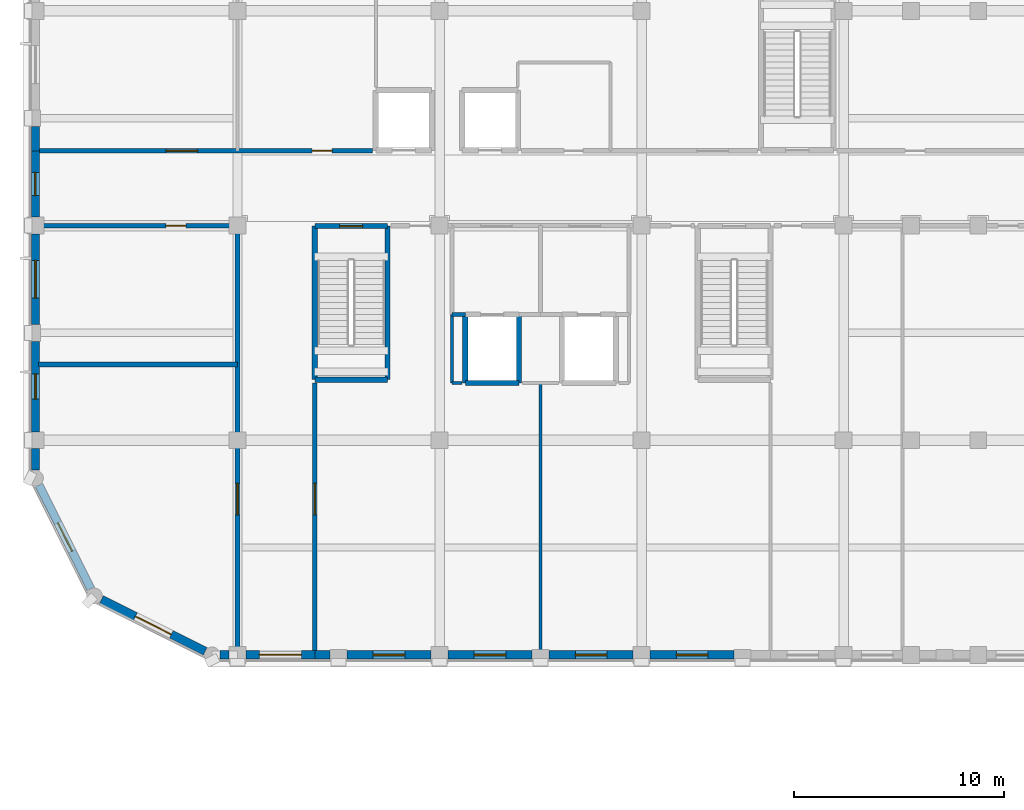
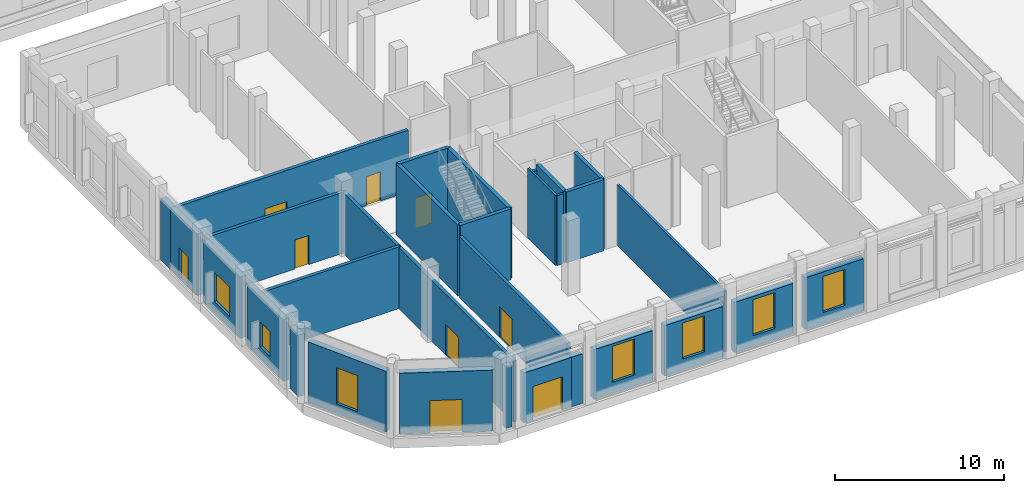
# One storey, part 100 of 137: 30 walls, 9 doors, 7 windows, 16 openings.
"""IFC4 building model written with IfcOpenShell, lengths in metres."""

import ifcopenshell
import ifcopenshell.guid

model = None  # the IFC model being written
_history = None  # IfcOwnerHistory: only IFC2X3 demands one
_inside = {}  # id of a spatial element -> (the spatial element, [elements in it])
_under = {}  # id of a project, library or spatial element -> (it, [spatial elements below it])
_declared = {}  # id of a project -> (the project, [libraries it declares])
_typed = {}  # id of a type object -> (the type object, [elements of that type])
_made_of = {}  # id of a material, layer set ... -> (it, [elements and type objects made of it])


def new_model(schema):
    """Start an empty IFC model of exactly this schema.

    Asked for "IFC4X3", IfcOpenShell would pick the latest addendum, in which some entities
    have other attributes; the version numbers below select the first issue.
    IFC2X3 requires an IfcOwnerHistory on every rooted entity: one is made here for all.
    """
    global model, _history
    if schema == "IFC4X3":
        model = ifcopenshell.file(schema_version=(4, 3, 0, 0))
    else:
        model = ifcopenshell.file(schema=schema)
    _inside.clear()
    _under.clear()
    _declared.clear()
    _typed.clear()
    _made_of.clear()
    _history = None
    if model.schema == "IFC2X3":
        org = make("IfcOrganization", Name="unknown")
        user = make(
            "IfcPersonAndOrganization",
            ThePerson=make("IfcPerson", FamilyName="unknown"),
            TheOrganization=org,
        )
        app = make(
            "IfcApplication",
            ApplicationDeveloper=org,
            Version="unknown",
            ApplicationFullName="unknown",
            ApplicationIdentifier="unknown",
        )
        _history = make(
            "IfcOwnerHistory",
            OwningUser=user,
            OwningApplication=app,
            ChangeAction="ADDED",
            CreationDate=0,
        )
    return model


def make(cls, **values):
    """One entity of the class cls with the attributes given. An attribute that is None is left unset."""
    return model.create_entity(
        cls, **{name: value for name, value in values.items() if value is not None}
    )


def rooted(cls, **values):
    """An entity with a GlobalId (a new one), such as an element, a storey or a relation."""
    return make(cls, GlobalId=ifcopenshell.guid.new(), OwnerHistory=_history, **values)


def si_unit(unit_type, name, prefix=None):
    """IfcSIUnit, for example si_unit("LENGTHUNIT", "METRE", prefix="MILLI")."""
    return make("IfcSIUnit", UnitType=unit_type, Prefix=prefix, Name=name)


def assignment(units):
    """IfcUnitAssignment: the units of a project."""
    return None if units is None else make("IfcUnitAssignment", Units=units)


def point(xyz):
    """IfcCartesianPoint."""
    return None if xyz is None else make("IfcCartesianPoint", Coordinates=xyz)


def direction(xyz):
    """IfcDirection."""
    return None if xyz is None else make("IfcDirection", DirectionRatios=xyz)


def frame(location, z_axis=None, x_axis=None):
    """IfcAxis2Placement3D, a coordinate frame: its origin and axes. An axis left out is left unset."""
    return make(
        "IfcAxis2Placement3D",
        Location=point(location),
        Axis=direction(z_axis),
        RefDirection=direction(x_axis),
    )


def frame_2d(location, x_axis=None):
    """IfcAxis2Placement2D, a coordinate frame in the plane: its origin and x axis."""
    return make(
        "IfcAxis2Placement2D", Location=point(location), RefDirection=direction(x_axis)
    )


def origin():
    """The frame at (0, 0, 0) with its axes left unset."""
    return frame((0.0, 0.0, 0.0))


def place(relative_to, where):
    """IfcLocalPlacement: puts the frame where relative to a parent placement (None: the world)."""
    return make(
        "IfcLocalPlacement", PlacementRelTo=relative_to, RelativePlacement=where
    )


def context(
    kind, dimensions, precision=None, world=None, true_north=None, identifier=None
):
    """IfcGeometricRepresentationContext, for example the 3D "Model" context."""
    return make(
        "IfcGeometricRepresentationContext",
        ContextIdentifier=identifier,
        ContextType=kind,
        CoordinateSpaceDimension=dimensions,
        Precision=precision,
        WorldCoordinateSystem=world,
        TrueNorth=true_north,
    )


def subcontext(parent, identifier, kind, view, scale=None):
    """IfcGeometricRepresentationSubContext, for example "Body" below "Model"."""
    return make(
        "IfcGeometricRepresentationSubContext",
        ContextIdentifier=identifier,
        ContextType=kind,
        ParentContext=parent,
        TargetScale=scale,
        TargetView=view,
    )


def project(units=None, contexts=None):
    """IfcProject with its units and contexts."""
    return rooted(
        "IfcProject",
        Name="project",
        RepresentationContexts=contexts,
        UnitsInContext=assignment(units),
    )


def spatial(cls, under=None, at=None, **own):
    """A site, building, storey or space (cls), placed at a placement, below another one or the project."""
    s = rooted(cls, ObjectPlacement=at, **own)
    if under is not None:
        _under.setdefault(under.id(), (under, []))[1].append(s)
    return s


def profile(cls, at=None, kind="AREA", **sizes):
    """A parametric profile (cls). Its sizes go by their IFC names, for example OverallWidth=200.0."""
    return make(cls, ProfileType=kind, Position=at, **sizes)


def rectangle(**sizes):
    """IfcRectangleProfileDef."""
    return profile("IfcRectangleProfileDef", **sizes)


def extrude(swept, where, along, depth):
    """IfcExtrudedAreaSolid: the profile swept, set in the frame where, extruded along a direction by depth."""
    return make(
        "IfcExtrudedAreaSolid",
        SweptArea=swept,
        Position=where,
        ExtrudedDirection=direction(along),
        Depth=depth,
    )


def shape(context_of_items, identifier, shape_type, items):
    """IfcShapeRepresentation: the items that make up one representation, for example the "Body"."""
    return make(
        "IfcShapeRepresentation",
        ContextOfItems=context_of_items,
        RepresentationIdentifier=identifier,
        RepresentationType=shape_type,
        Items=items,
    )


def material(Name=None, Category=None):
    """IfcMaterial."""
    return make("IfcMaterial", Name=Name, Category=Category)


def layer(
    of_material, thickness, ventilated=None, Name=None, Category=None, Priority=None
):
    """IfcMaterialLayer: one layer of a wall or slab, of a material (None: an air gap)."""
    return make(
        "IfcMaterialLayer",
        Material=of_material,
        LayerThickness=thickness,
        IsVentilated=ventilated,
        Name=Name,
        Category=Category,
        Priority=Priority,
    )


def layer_set(layers, Name=None):
    """IfcMaterialLayerSet."""
    return make("IfcMaterialLayerSet", MaterialLayers=layers, LayerSetName=Name)


def made_of(thing, what):
    """Note that an element or type object is made of a material, layer set ...; save() writes the relation."""
    if what is not None:
        _made_of.setdefault(what.id(), (what, []))[1].append(thing)
    return thing


def type_object(cls, material=None, **own):
    """A type object (cls), such as IfcWallType, which elements share."""
    return made_of(rooted(cls, **own), material)


def element(
    cls,
    number,
    at=None,
    inside=None,
    cuts=None,
    type_object=None,
    material=None,
    context=None,
    identifier="Body",
    shape_type=None,
    held_by="IfcProductDefinitionShape",
    body=None,
    shapes=None,
    **own,
):
    """One element of the class cls, such as IfcWall. Its Tag is "e" and its number.

    at: its placement. inside: the storey or other place that contains it. cuts: it is an
    opening in that element (IfcRelVoidsElement). A single representation is given by context,
    identifier, shape_type and body (its items); several are given by shapes. held_by: the class
    of the entity that holds the representations. save() writes the other relations.
    """
    e = rooted(cls, Tag="e%d" % number, ObjectPlacement=at, **own)
    if body is not None:
        shapes = [shape(context, identifier, shape_type, body)]
    if shapes is not None:
        e.Representation = make(held_by, Representations=shapes)
    if inside is not None:
        _inside.setdefault(inside.id(), (inside, []))[1].append(e)
    if cuts is not None:
        rooted(
            "IfcRelVoidsElement", RelatingBuildingElement=cuts, RelatedOpeningElement=e
        )
    if type_object is not None:
        _typed.setdefault(type_object.id(), (type_object, []))[1].append(e)
    return made_of(e, material)


def fill(opening, filler):
    """IfcRelFillsElement: the door or window that sits in an opening."""
    return rooted(
        "IfcRelFillsElement",
        RelatingOpeningElement=opening,
        RelatedBuildingElement=filler,
    )


def aggregate(whole, parts):
    """IfcRelAggregates: a whole, such as a stair, and the parts it consists of."""
    return rooted("IfcRelAggregates", RelatingObject=whole, RelatedObjects=parts)


def save(model, path):
    """Write the relations noted so far, then the file.

    IfcRelAggregates (storeys below a building ...), IfcRelContainedInSpatialStructure (elements
    in a storey), IfcRelDefinesByType, IfcRelAssociatesMaterial and IfcRelDeclares: one each for
    every whole, place, type object, material and project.
    """
    for whole, parts in _under.values():
        aggregate(whole, parts)
    for where, things in _inside.values():
        rooted(
            "IfcRelContainedInSpatialStructure",
            RelatedElements=things,
            RelatingStructure=where,
        )
    for kind, things in _typed.values():
        rooted("IfcRelDefinesByType", RelatedObjects=things, RelatingType=kind)
    for what, things in _made_of.values():
        rooted("IfcRelAssociatesMaterial", RelatedObjects=things, RelatingMaterial=what)
    for by, libraries in _declared.values():
        rooted("IfcRelDeclares", RelatingContext=by, RelatedDefinitions=libraries)
    model.write(path)


model = new_model("IFC4")

# Units and contexts
model_context = context("Model", 3, precision=1e-05, world=origin(), true_north=direction((0.0, 1.0)))
body_context = subcontext(model_context, "Body", "Model", "MODEL_VIEW")
ifc_project = project(units=[si_unit("LENGTHUNIT", "METRE"), si_unit("AREAUNIT", "SQUARE_METRE"), si_unit("VOLUMEUNIT", "CUBIC_METRE"), si_unit("PLANEANGLEUNIT", "RADIAN"), si_unit("MASSUNIT", "GRAM", prefix="KILO")], contexts=[model_context])

# Site, building, storey
site_placement = place(None, origin())
site = spatial("IfcSite", under=ifc_project, at=site_placement, CompositionType="ELEMENT")
building_placement = place(site_placement, origin())
building = spatial("IfcBuilding", under=site, at=building_placement, Name="Vondelvale Polytechnic", CompositionType="ELEMENT")
storey_placement = place(building_placement, origin())
storey = spatial("IfcBuildingStorey", under=building, at=storey_placement, Name="L00", CompositionType="ELEMENT", Elevation=0.0)

# Walls
ifc_material_1 = material(Name="Concrete N40 (f'c = 40 MPa)", Category="concrete")
ifc_layer_1 = layer(ifc_material_1, 0.25)
ifc_layer_set_1 = layer_set([ifc_layer_1], Name="WL-CORE-250")
wall_type_1 = type_object("IfcWallType", Name="WL-CORE-250", PredefinedType="SOLIDWALL", material=ifc_layer_set_1)
wall_1_placement = place(storey_placement, frame((13.27490234375, 20.375, 0.0), z_axis=(0.0, 0.0, 1.0), x_axis=(0.0, -1.0, 0.0)))
element("IfcWall", 1, at=wall_1_placement, inside=storey, type_object=wall_type_1, Name="L00 ST-03 reinforced concrete stair core wall", PredefinedType="SOLIDWALL", context=body_context, shape_type="SweptSolid", body=[
    extrude(rectangle(XDim=7.300048828125, YDim=0.25, at=frame_2d((3.64990234375, 0.0))), origin(), (0.0, 0.0, 1.0), 5.1201171875),
])
wall_2_placement = place(storey_placement, frame((13.27490234375, 13.074951171875, 0.0), z_axis=(0.0, 0.0, 1.0), x_axis=(1.0, 0.0, 0.0)))
element("IfcWall", 2, at=wall_2_placement, inside=storey, type_object=wall_type_1, Name="L00 ST-03 reinforced concrete stair core wall", PredefinedType="SOLIDWALL", context=body_context, shape_type="SweptSolid", body=[
    extrude(rectangle(XDim=3.4501953125, YDim=0.25, at=frame_2d((1.72509765625, 0.0))), origin(), (0.0, 0.0, 1.0), 5.1201171875),
])
wall_3_placement = place(storey_placement, frame((16.72509765625, 13.074951171875, 0.0), z_axis=(0.0, 0.0, 1.0), x_axis=(0.0, 1.0, 0.0)))
element("IfcWall", 3, at=wall_3_placement, inside=storey, type_object=wall_type_1, Name="L00 ST-03 reinforced concrete stair core wall", PredefinedType="SOLIDWALL", context=body_context, shape_type="SweptSolid", body=[
    extrude(rectangle(XDim=7.300048828125, YDim=0.25, at=frame_2d((3.64990234375, 0.0))), origin(), (0.0, 0.0, 1.0), 5.1201171875),
])

# Wall, opening, door
wall_4_placement = place(storey_placement, frame((13.27490234375, 20.375, 0.0), z_axis=(0.0, 0.0, 1.0), x_axis=(1.0, 0.0, 0.0)))
wall_4 = element("IfcWall", 4, at=wall_4_placement, inside=storey, type_object=wall_type_1, Name="L00 ST-03 reinforced concrete stair core wall", PredefinedType="SOLIDWALL", context=body_context, shape_type="SweptSolid", body=[
    extrude(rectangle(XDim=3.4501953125, YDim=0.25, at=frame_2d((1.72509765625, 0.0))), origin(), (0.0, 0.0, 1.0), 5.1201171875),
])
opening_1_placement = place(wall_4_placement, frame((1.175048828125, 0.0, 0.0)))
opening_1 = element("IfcOpeningElement", 5, at=opening_1_placement, cuts=wall_4, Name="Opening SD-010", PredefinedType="OPENING", context=body_context, shape_type="SweptSolid", body=[
    extrude(rectangle(XDim=1.10009765625, YDim=2.199951171875, at=frame_2d((0.550048828125, 1.10009765625))), frame((0.0, 0.135009765625, 0.0), z_axis=(0.0, -1.0, 0.0), x_axis=(1.0, 0.0, 0.0)), (0.0, 0.0, 1.0), 0.27001953125),
])
ifc_material_2 = material(Name="Brushed architectural stainless and zinc-coated metal")
door_type_1 = type_object("IfcDoorType", Name="DR-STAIR-1100x2200", OperationType="SINGLE_SWING_LEFT", PredefinedType="DOOR", material=ifc_material_2)
door_1_placement = place(opening_1_placement, origin())
door_1 = element("IfcDoor", 6, at=door_1_placement, inside=storey, type_object=door_type_1, Name="L00 ST-03 fire-isolated stair door", OperationType="SINGLE_SWING_RIGHT", OverallHeight=2.199951171875, OverallWidth=1.10009765625, PredefinedType="DOOR", context=body_context, shape_type="SweptSolid", body=[
    extrude(rectangle(XDim=1.10009765625, YDim=2.199951171875, at=frame_2d((0.550048828125, 1.10009765625))), frame((0.0, 0.02490234375, 0.0), z_axis=(0.0, -1.0, 0.0), x_axis=(1.0, 0.0, 0.0)), (0.0, 0.0, 1.0), 0.050048828125),
])
fill(opening_1, door_1)

# Wall
ifc_material_3 = material(Name="Fire-rated double-layer plasterboard stud partition")
ifc_layer_2 = layer(ifc_material_3, 0.199951171875)
ifc_layer_set_2 = layer_set([ifc_layer_2], Name="WL-CORR-200")
wall_type_2 = type_object("IfcWallType", Name="WL-CORR-200", PredefinedType="PARTITIONING", material=ifc_layer_set_2)
wall_5_placement = place(storey_placement, frame((19.800048828125, 16.175048828125, 0.0), z_axis=(0.0, 0.0, 1.0), x_axis=(1.0, 0.0, 0.0)))
element("IfcWall", 7, at=wall_5_placement, inside=storey, type_object=wall_type_2, Name="L00 EL-01 fire-isolated lift lobby wall", PredefinedType="PARTITIONING", context=body_context, shape_type="SweptSolid", body=[
    extrude(rectangle(XDim=0.625, YDim=0.199951171875, at=frame_2d((0.3125, 0.0))), origin(), (0.0, 0.0, 1.0), 4.75),
])

# Wall, opening, door
ifc_layer_3 = layer(ifc_material_3, 0.219970703125)
ifc_layer_set_3 = layer_set([ifc_layer_3], Name="WL-CORR-220")
wall_type_3 = type_object("IfcWallType", Name="WL-CORR-220", PredefinedType="PARTITIONING", material=ifc_layer_set_3)
wall_6_placement = place(storey_placement, frame((9.60009765625, 0.14990234375, 0.0), z_axis=(0.0, 0.0, 1.0), x_axis=(0.0, 1.0, 0.0)))
wall_6 = element("IfcWall", 8, at=wall_6_placement, inside=storey, type_object=wall_type_3, Name="L00 interior acoustic partition", PredefinedType="PARTITIONING", context=body_context, shape_type="SweptSolid", body=[
    extrude(rectangle(XDim=20.25, YDim=0.219970703125, at=frame_2d((10.125, 0.0))), origin(), (0.0, 0.0, 1.0), 4.39990234375),
])
opening_2_placement = place(wall_6_placement, frame((6.5, 0.0, 0.0)))
opening_2 = element("IfcOpeningElement", 9, at=opening_2_placement, cuts=wall_6, Name="Opening ID-0137", PredefinedType="OPENING", context=body_context, shape_type="SweptSolid", body=[
    extrude(rectangle(XDim=1.5, YDim=2.199951171875, at=frame_2d((0.75, 1.10009765625))), frame((0.0, 0.119873046875, 0.0), z_axis=(0.0, -1.0, 0.0), x_axis=(1.0, 0.0, 0.0)), (0.0, 0.0, 1.0), 0.239990234375),
])
ifc_material_4 = material(Name="Fire-rated solid Tasmanian oak joinery")
door_type_2 = type_object("IfcDoorType", Name="DR-LAB-1500x2200", OperationType="DOUBLE_DOOR_SINGLE_SWING", PredefinedType="DOOR", material=ifc_material_4)
door_2_placement = place(opening_2_placement, origin())
door_2 = element("IfcDoor", 10, at=door_2_placement, inside=storey, type_object=door_type_2, Name="L00 interior room door ID-0137", OperationType="DOUBLE_DOOR_SINGLE_SWING", OverallHeight=2.199951171875, OverallWidth=1.5, PredefinedType="DOOR", context=body_context, shape_type="SweptSolid", body=[
    extrude(rectangle(XDim=1.5, YDim=2.199951171875, at=frame_2d((0.75, 1.10009765625))), frame((0.0, 0.02490234375, 0.0), z_axis=(0.0, -1.0, 0.0), x_axis=(1.0, 0.0, 0.0)), (0.0, 0.0, 1.0), 0.050048828125),
])
fill(opening_2, door_2)

# Wall
wall_7_placement = place(storey_placement, frame((0.14990234375, 13.800048828125, 0.0), z_axis=(0.0, 0.0, 1.0), x_axis=(1.0, 0.0, 0.0)))
element("IfcWall", 11, at=wall_7_placement, inside=storey, type_object=wall_type_3, Name="L00 interior acoustic partition", PredefinedType="PARTITIONING", context=body_context, shape_type="SweptSolid", body=[
    extrude(rectangle(XDim=9.4501953125, YDim=0.219970703125, at=frame_2d((4.72509765625, 0.0))), origin(), (0.0, 0.0, 1.0), 4.449951171875),
])

# Wall, opening, door
wall_8_placement = place(storey_placement, frame((0.14990234375, 20.39990234375, 0.0), z_axis=(0.0, 0.0, 1.0), x_axis=(1.0, 0.0, 0.0)))
wall_8 = element("IfcWall", 12, at=wall_8_placement, inside=storey, type_object=wall_type_3, Name="L00 interior acoustic partition", PredefinedType="PARTITIONING", context=body_context, shape_type="SweptSolid", body=[
    extrude(rectangle(XDim=9.4501953125, YDim=0.219970703125, at=frame_2d((4.72509765625, 0.0))), origin(), (0.0, 0.0, 1.0), 4.39990234375),
])
opening_3_placement = place(wall_8_placement, frame((6.050048828125, 0.0, 0.0)))
opening_3 = element("IfcOpeningElement", 13, at=opening_3_placement, cuts=wall_8, Name="Opening ID-0138", PredefinedType="OPENING", context=body_context, shape_type="SweptSolid", body=[
    extrude(rectangle(XDim=0.949951171875, YDim=2.10009765625, at=frame_2d((0.47509765625, 1.050048828125))), frame((0.0, 0.119873046875, 0.0), z_axis=(0.0, -1.0, 0.0), x_axis=(1.0, 0.0, 0.0)), (0.0, 0.0, 1.0), 0.239990234375),
])
door_type_3 = type_object("IfcDoorType", Name="DR-INT-0950x2100", OperationType="SINGLE_SWING_LEFT", PredefinedType="DOOR", material=ifc_material_4)
door_3_placement = place(opening_3_placement, origin())
door_3 = element("IfcDoor", 14, at=door_3_placement, inside=storey, type_object=door_type_3, Name="L00 interior room door ID-0138", OperationType="SINGLE_SWING_RIGHT", OverallHeight=2.10009765625, OverallWidth=0.949951171875, PredefinedType="DOOR", context=body_context, shape_type="SweptSolid", body=[
    extrude(rectangle(XDim=0.949951171875, YDim=2.10009765625, at=frame_2d((0.47509765625, 1.050048828125))), frame((0.0, 0.02490234375, 0.0), z_axis=(0.0, -1.0, 0.0), x_axis=(1.0, 0.0, 0.0)), (0.0, 0.0, 1.0), 0.050048828125),
])
fill(opening_3, door_3)

wall_9_placement = place(storey_placement, frame((13.27490234375, 0.14990234375, 0.0), z_axis=(0.0, 0.0, 1.0), x_axis=(0.0, 1.0, 0.0)))
wall_9 = element("IfcWall", 15, at=wall_9_placement, inside=storey, type_object=wall_type_3, Name="L00 interior acoustic partition", PredefinedType="PARTITIONING", context=body_context, shape_type="SweptSolid", body=[
    extrude(rectangle(XDim=12.760009765625, YDim=0.219970703125, at=frame_2d((6.3798828125, 0.0))), origin(), (0.0, 0.0, 1.0), 4.39990234375),
])
opening_4_placement = place(wall_9_placement, frame((6.5, 0.0, 0.0)))
opening_4 = element("IfcOpeningElement", 16, at=opening_4_placement, cuts=wall_9, Name="Opening ID-0139", PredefinedType="OPENING", context=body_context, shape_type="SweptSolid", body=[
    extrude(rectangle(XDim=1.5, YDim=2.199951171875, at=frame_2d((0.75, 1.10009765625))), frame((0.0, 0.119873046875, 0.0), z_axis=(0.0, -1.0, 0.0), x_axis=(1.0, 0.0, 0.0)), (0.0, 0.0, 1.0), 0.239990234375),
])
door_4_placement = place(opening_4_placement, origin())
door_4 = element("IfcDoor", 17, at=door_4_placement, inside=storey, type_object=door_type_2, Name="L00 interior room door ID-0139", OperationType="DOUBLE_DOOR_SINGLE_SWING", OverallHeight=2.199951171875, OverallWidth=1.5, PredefinedType="DOOR", context=body_context, shape_type="SweptSolid", body=[
    extrude(rectangle(XDim=1.5, YDim=2.199951171875, at=frame_2d((0.75, 1.10009765625))), frame((0.0, 0.02490234375, 0.0), z_axis=(0.0, -1.0, 0.0), x_axis=(1.0, 0.0, 0.0)), (0.0, 0.0, 1.0), 0.050048828125),
])
fill(opening_4, door_4)

# Wall, openings, doors
wall_10_placement = place(storey_placement, frame((0.14990234375, 23.949951171875, 0.0), z_axis=(0.0, 0.0, 1.0), x_axis=(1.0, 0.0, 0.0)))
wall_10 = element("IfcWall", 18, at=wall_10_placement, inside=storey, type_object=wall_type_3, Name="L00 interior acoustic partition", PredefinedType="PARTITIONING", context=body_context, shape_type="SweptSolid", body=[
    extrude(rectangle(XDim=15.860107421875, YDim=0.219970703125, at=frame_2d((7.93017578125, 0.0))), origin(), (0.0, 0.0, 1.0), 4.449951171875),
])
opening_5_placement = place(wall_10_placement, frame((6.050048828125, 0.0, 0.0)))
opening_5 = element("IfcOpeningElement", 19, at=opening_5_placement, cuts=wall_10, Name="Opening ID-0145", PredefinedType="OPENING", context=body_context, shape_type="SweptSolid", body=[
    extrude(rectangle(XDim=1.5, YDim=2.199951171875, at=frame_2d((0.75, 1.10009765625))), frame((0.0, 0.119873046875, 0.0), z_axis=(0.0, -1.0, 0.0), x_axis=(1.0, 0.0, 0.0)), (0.0, 0.0, 1.0), 0.239990234375),
])
opening_6_placement = place(wall_10_placement, frame((13.0, 0.0, 0.0)))
opening_6 = element("IfcOpeningElement", 20, at=opening_6_placement, cuts=wall_10, Name="Opening ID-0146", PredefinedType="OPENING", context=body_context, shape_type="SweptSolid", body=[
    extrude(rectangle(XDim=0.949951171875, YDim=2.10009765625, at=frame_2d((0.47509765625, 1.050048828125))), frame((0.0, 0.119873046875, 0.0), z_axis=(0.0, -1.0, 0.0), x_axis=(1.0, 0.0, 0.0)), (0.0, 0.0, 1.0), 0.239990234375),
])
door_5_placement = place(opening_6_placement, origin())
door_5 = element("IfcDoor", 21, at=door_5_placement, inside=storey, type_object=door_type_3, Name="L00 interior room door ID-0146", OperationType="SINGLE_SWING_RIGHT", OverallHeight=2.10009765625, OverallWidth=0.949951171875, PredefinedType="DOOR", context=body_context, shape_type="SweptSolid", body=[
    extrude(rectangle(XDim=0.949951171875, YDim=2.10009765625, at=frame_2d((0.47509765625, 1.050048828125))), frame((0.0, 0.02490234375, 0.0), z_axis=(0.0, -1.0, 0.0), x_axis=(1.0, 0.0, 0.0)), (0.0, 0.0, 1.0), 0.050048828125),
])
fill(opening_6, door_5)
door_6_placement = place(opening_5_placement, origin())
door_6 = element("IfcDoor", 22, at=door_6_placement, inside=storey, type_object=door_type_2, Name="L00 interior room door ID-0145", OperationType="DOUBLE_DOOR_SINGLE_SWING", OverallHeight=2.199951171875, OverallWidth=1.5, PredefinedType="DOOR", context=body_context, shape_type="SweptSolid", body=[
    extrude(rectangle(XDim=1.5, YDim=2.199951171875, at=frame_2d((0.75, 1.10009765625))), frame((0.0, 0.02490234375, 0.0), z_axis=(0.0, -1.0, 0.0), x_axis=(1.0, 0.0, 0.0)), (0.0, 0.0, 1.0), 0.050048828125),
])
fill(opening_5, door_6)

# Walls
ifc_layer_4 = layer(ifc_material_3, 0.14990234375)
ifc_layer_set_4 = layer_set([ifc_layer_4], Name="WL-INT-150")
wall_type_4 = type_object("IfcWallType", Name="WL-INT-150", PredefinedType="PARTITIONING", material=ifc_layer_set_4)
wall_11_placement = place(storey_placement, frame((19.800048828125, 12.925048828125, 0.0), z_axis=(0.0, 0.0, 1.0), x_axis=(1.0, 0.0, 0.0)))
element("IfcWall", 23, at=wall_11_placement, inside=storey, type_object=wall_type_4, Name="L00 interior acoustic partition", PredefinedType="PARTITIONING", context=body_context, shape_type="SweptSolid", body=[
    extrude(rectangle(XDim=0.4599609375, YDim=0.14990234375, at=frame_2d((0.22998046875, 0.0))), origin(), (0.0, 0.0, 1.0), 5.050048828125),
])
wall_12_placement = place(storey_placement, frame((19.800048828125, 12.925048828125, 0.0), z_axis=(0.0, 0.0, 1.0), x_axis=(0.0, 1.0, 0.0)))
element("IfcWall", 24, at=wall_12_placement, inside=storey, type_object=wall_type_4, Name="L00 interior acoustic partition", PredefinedType="PARTITIONING", context=body_context, shape_type="SweptSolid", body=[
    extrude(rectangle(XDim=3.25, YDim=0.14990234375, at=frame_2d((1.625, 0.0))), origin(), (0.0, 0.0, 1.0), 5.050048828125),
])
wall_13_placement = place(storey_placement, frame((24.0, 0.14990234375, 0.0), z_axis=(0.0, 0.0, 1.0), x_axis=(0.0, 1.0, 0.0)))
element("IfcWall", 25, at=wall_13_placement, inside=storey, type_object=wall_type_4, Name="L00 interior acoustic partition", PredefinedType="PARTITIONING", context=body_context, shape_type="SweptSolid", body=[
    extrude(rectangle(XDim=12.775146484375, YDim=0.14990234375, at=frame_2d((6.3876953125, 0.0))), origin(), (0.0, 0.0, 1.0), 4.39990234375),
])

# Wall, opening, door
ifc_material_5 = material(Name="Malmsbury bluestone ashlar stone masonry", Category="masonry")
ifc_layer_5 = layer(ifc_material_5, 0.39990234375)
ifc_layer_set_5 = layer_set([ifc_layer_5], Name="WL-PLINTH-400")
wall_type_5 = type_object("IfcWallType", Name="WL-PLINTH-400", PredefinedType="SOLIDWALL", material=ifc_layer_set_5)
wall_14_placement = place(storey_placement, frame((8.065185546875, 0.16748046875, 0.0), z_axis=(0.0, 0.0, 1.0), x_axis=(-0.89443604882, 0.447195879422, 0.0)))
wall_14 = element("IfcWall", 26, at=wall_14_placement, inside=storey, type_object=wall_type_5, Name="L00 exterior masonry facade wall", PredefinedType="SOLIDWALL", context=body_context, shape_type="SweptSolid", body=[
    extrude(rectangle(XDim=5.51220703125, YDim=0.39990234375, at=frame_2d((2.756103515625, 0.0))), origin(), (0.0, 0.0, 1.0), 4.39990234375),
])
opening_7_placement = place(wall_14_placement, frame((1.80615234375, 0.0, 0.0)))
opening_7 = element("IfcOpeningElement", 27, at=opening_7_placement, cuts=wall_14, Name="Opening ED-007", PredefinedType="OPENING", context=body_context, shape_type="SweptSolid", body=[
    extrude(rectangle(XDim=1.89990234375, YDim=2.35009765625, at=frame_2d((0.949951171875, 1.175048828125))), frame((0.0, 0.2099609375, 0.0), z_axis=(0.0, -1.0, 0.0), x_axis=(1.0, 0.0, 0.0)), (0.0, 0.0, 1.0), 0.419921875),
])
ifc_material_6 = material(Name="Anodised extruded aluminium 6063-T6", Category="aluminium")
door_type_4 = type_object("IfcDoorType", Name="DR-EXT-1900x2350", OperationType="DOUBLE_DOOR_SINGLE_SWING", PredefinedType="DOOR", material=ifc_material_6)
door_7_placement = place(opening_7_placement, origin())
door_7 = element("IfcDoor", 28, at=door_7_placement, inside=storey, type_object=door_type_4, Name="L00 exterior entrance/exit door ED-007", OperationType="DOUBLE_DOOR_SINGLE_SWING", OverallHeight=2.35009765625, OverallWidth=1.89990234375, PredefinedType="DOOR", context=body_context, shape_type="SweptSolid", body=[
    extrude(rectangle(XDim=1.89990234375, YDim=2.35009765625, at=frame_2d((0.949951171875, 1.175048828125))), frame((0.0, 0.02490234375, 0.0), z_axis=(0.0, -1.0, 0.0), x_axis=(1.0, 0.0, 0.0)), (0.0, 0.0, 1.0), 0.050048828125),
])
fill(opening_7, door_7)

# Wall, opening, window
wall_15_placement = place(storey_placement, frame((2.632568359375, 3.134765625, 0.0), z_axis=(0.0, 0.0, 1.0), x_axis=(-0.447195879422, 0.89443604882, 0.0)))
wall_15 = element("IfcWall", 29, at=wall_15_placement, inside=storey, type_object=wall_type_5, Name="L00 exterior masonry facade wall", PredefinedType="SOLIDWALL", context=body_context, shape_type="SweptSolid", body=[
    extrude(rectangle(XDim=5.51220703125, YDim=0.39990234375, at=frame_2d((2.756103515625, 0.0))), origin(), (0.0, 0.0, 1.0), 4.39990234375),
])
opening_8_placement = place(wall_15_placement, frame((2.006103515625, 0.0, 0.699951171875)))
opening_8 = element("IfcOpeningElement", 30, at=opening_8_placement, cuts=wall_15, Name="Opening WN-0134", PredefinedType="OPENING", context=body_context, shape_type="SweptSolid", body=[
    extrude(rectangle(XDim=1.5, YDim=2.60009765625, at=frame_2d((0.75, 1.300048828125))), frame((0.0, 0.2099609375, 0.0), z_axis=(0.0, -1.0, 0.0), x_axis=(1.0, 0.0, 0.0)), (0.0, 0.0, 1.0), 0.419921875),
])
ifc_material_7 = material(Name="Double-glazed low-E insulated architectural glass", Category="glass")
window_type_1 = type_object("IfcWindowType", Name="WN-TALL-1500x2600", PartitioningType="SINGLE_PANEL", PredefinedType="WINDOW", material=ifc_material_7)
window_1_placement = place(opening_8_placement, origin())
window_1 = element("IfcWindow", 31, at=window_1_placement, inside=storey, type_object=window_type_1, Name="L00 double-glazed architectural window WN-0134", OverallHeight=2.60009765625, OverallWidth=1.5, PartitioningType="SINGLE_PANEL", PredefinedType="WINDOW", context=body_context, shape_type="SweptSolid", body=[
    extrude(rectangle(XDim=1.5, YDim=2.60009765625, at=frame_2d((0.75, 1.300048828125))), frame((0.0, 0.030029296875, 0.0), z_axis=(0.0, -1.0, 0.0), x_axis=(1.0, 0.0, 0.0)), (0.0, 0.0, 1.0), 0.06005859375),
])
fill(opening_8, window_1)

# Wall
wall_16_placement = place(storey_placement, frame((9.198974609375, 0.0, 0.0), z_axis=(0.0, 0.0, 1.0), x_axis=(-1.0, 0.0, 0.0)))
element("IfcWall", 32, at=wall_16_placement, inside=storey, type_object=wall_type_5, Name="L00 exterior masonry facade wall", PredefinedType="SOLIDWALL", context=body_context, shape_type="SweptSolid", body=[
    extrude(rectangle(XDim=0.423095703125, YDim=0.39990234375, at=frame_2d((0.21142578125, 0.0))), origin(), (0.0, 0.0, 1.0), 4.449951171875),
])

# Wall, opening, door
wall_17_placement = place(storey_placement, frame((13.27490234375, 0.0, 0.0), z_axis=(0.0, 0.0, 1.0), x_axis=(-1.0, 0.0, 0.0)))
wall_17 = element("IfcWall", 33, at=wall_17_placement, inside=storey, type_object=wall_type_5, Name="L00 exterior masonry facade wall", PredefinedType="SOLIDWALL", context=body_context, shape_type="SweptSolid", body=[
    extrude(rectangle(XDim=3.27392578125, YDim=0.39990234375, at=frame_2d((1.636962890625, 0.0))), origin(), (0.0, 0.0, 1.0), 3.580078125),
])
opening_9_placement = place(wall_17_placement, frame((0.636962890625, 0.0, 0.0)))
opening_9 = element("IfcOpeningElement", 34, at=opening_9_placement, cuts=wall_17, Name="Opening ED-008", PredefinedType="OPENING", context=body_context, shape_type="SweptSolid", body=[
    extrude(rectangle(XDim=2.0, YDim=2.39990234375, at=frame_2d((1.0, 1.199951171875))), frame((0.0, 0.2099609375, 0.0), z_axis=(0.0, -1.0, 0.0), x_axis=(1.0, 0.0, 0.0)), (0.0, 0.0, 1.0), 0.419921875),
])
door_type_5 = type_object("IfcDoorType", Name="DR-EXT-2000x2400", OperationType="DOUBLE_DOOR_SINGLE_SWING", PredefinedType="DOOR", material=ifc_material_6)
door_8_placement = place(opening_9_placement, origin())
door_8 = element("IfcDoor", 35, at=door_8_placement, inside=storey, type_object=door_type_5, Name="L00 exterior entrance/exit door ED-008", OperationType="DOUBLE_DOOR_SINGLE_SWING", OverallHeight=2.39990234375, OverallWidth=2.0, PredefinedType="DOOR", context=body_context, shape_type="SweptSolid", body=[
    extrude(rectangle(XDim=2.0, YDim=2.39990234375, at=frame_2d((1.0, 1.199951171875))), frame((0.0, 0.02490234375, 0.0), z_axis=(0.0, -1.0, 0.0), x_axis=(1.0, 0.0, 0.0)), (0.0, 0.0, 1.0), 0.050048828125),
])
fill(opening_9, door_8)

# Wall
wall_18_placement = place(storey_placement, frame((13.9990234375, 0.0, 0.0), z_axis=(0.0, 0.0, 1.0), x_axis=(-1.0, 0.0, 0.0)))
element("IfcWall", 36, at=wall_18_placement, inside=storey, type_object=wall_type_5, Name="L00 exterior masonry facade wall", PredefinedType="SOLIDWALL", context=body_context, shape_type="SweptSolid", body=[
    extrude(rectangle(XDim=0.72412109375, YDim=0.39990234375, at=frame_2d((0.362060546875, 0.0))), origin(), (0.0, 0.0, 1.0), 3.580078125),
])

# Wall, opening, window
wall_19_placement = place(storey_placement, frame((18.799072265625, 0.0, 0.0), z_axis=(0.0, 0.0, 1.0), x_axis=(-1.0, 0.0, 0.0)))
wall_19 = element("IfcWall", 37, at=wall_19_placement, inside=storey, type_object=wall_type_5, Name="L00 exterior masonry facade wall", PredefinedType="SOLIDWALL", context=body_context, shape_type="SweptSolid", body=[
    extrude(rectangle(XDim=3.998046875, YDim=0.39990234375, at=frame_2d((1.9990234375, 0.0))), origin(), (0.0, 0.0, 1.0), 3.580078125),
])
opening_10_placement = place(wall_19_placement, frame((1.2490234375, 0.0, 0.800048828125)))
opening_10 = element("IfcOpeningElement", 38, at=opening_10_placement, cuts=wall_19, Name="Opening WN-0135", PredefinedType="OPENING", context=body_context, shape_type="SweptSolid", body=[
    extrude(rectangle(XDim=1.5, YDim=2.60009765625, at=frame_2d((0.75, 1.300048828125))), frame((0.0, 0.2099609375, 0.0), z_axis=(0.0, -1.0, 0.0), x_axis=(1.0, 0.0, 0.0)), (0.0, 0.0, 1.0), 0.419921875),
])
window_2_placement = place(opening_10_placement, origin())
window_2 = element("IfcWindow", 39, at=window_2_placement, inside=storey, type_object=window_type_1, Name="L00 double-glazed architectural window WN-0135", OverallHeight=2.60009765625, OverallWidth=1.5, PartitioningType="SINGLE_PANEL", PredefinedType="WINDOW", context=body_context, shape_type="SweptSolid", body=[
    extrude(rectangle(XDim=1.5, YDim=2.60009765625, at=frame_2d((0.75, 1.300048828125))), frame((0.0, 0.030029296875, 0.0), z_axis=(0.0, -1.0, 0.0), x_axis=(1.0, 0.0, 0.0)), (0.0, 0.0, 1.0), 0.06005859375),
])
fill(opening_10, window_2)

wall_20_placement = place(storey_placement, frame((23.59912109375, 0.0, 0.0), z_axis=(0.0, 0.0, 1.0), x_axis=(-1.0, 0.0, 0.0)))
wall_20 = element("IfcWall", 40, at=wall_20_placement, inside=storey, type_object=wall_type_5, Name="L00 exterior masonry facade wall", PredefinedType="SOLIDWALL", context=body_context, shape_type="SweptSolid", body=[
    extrude(rectangle(XDim=3.998046875, YDim=0.39990234375, at=frame_2d((1.9990234375, 0.0))), origin(), (0.0, 0.0, 1.0), 3.6298828125),
])
opening_11_placement = place(wall_20_placement, frame((1.2490234375, 0.0, 0.800048828125)))
opening_11 = element("IfcOpeningElement", 41, at=opening_11_placement, cuts=wall_20, Name="Opening WN-0136", PredefinedType="OPENING", context=body_context, shape_type="SweptSolid", body=[
    extrude(rectangle(XDim=1.5, YDim=2.60009765625, at=frame_2d((0.75, 1.300048828125))), frame((0.0, 0.2099609375, 0.0), z_axis=(0.0, -1.0, 0.0), x_axis=(1.0, 0.0, 0.0)), (0.0, 0.0, 1.0), 0.419921875),
])
window_3_placement = place(opening_11_placement, origin())
window_3 = element("IfcWindow", 42, at=window_3_placement, inside=storey, type_object=window_type_1, Name="L00 double-glazed architectural window WN-0136", OverallHeight=2.60009765625, OverallWidth=1.5, PartitioningType="SINGLE_PANEL", PredefinedType="WINDOW", context=body_context, shape_type="SweptSolid", body=[
    extrude(rectangle(XDim=1.5, YDim=2.60009765625, at=frame_2d((0.75, 1.300048828125))), frame((0.0, 0.030029296875, 0.0), z_axis=(0.0, -1.0, 0.0), x_axis=(1.0, 0.0, 0.0)), (0.0, 0.0, 1.0), 0.06005859375),
])
fill(opening_11, window_3)

wall_21_placement = place(storey_placement, frame((28.39892578125, 0.0, 0.0), z_axis=(0.0, 0.0, 1.0), x_axis=(-1.0, 0.0, 0.0)))
wall_21 = element("IfcWall", 43, at=wall_21_placement, inside=storey, type_object=wall_type_5, Name="L00 exterior masonry facade wall", PredefinedType="SOLIDWALL", context=body_context, shape_type="SweptSolid", body=[
    extrude(rectangle(XDim=3.998046875, YDim=0.39990234375, at=frame_2d((1.9990234375, 0.0))), origin(), (0.0, 0.0, 1.0), 3.6298828125),
])
opening_12_placement = place(wall_21_placement, frame((1.2490234375, 0.0, 0.800048828125)))
opening_12 = element("IfcOpeningElement", 44, at=opening_12_placement, cuts=wall_21, Name="Opening WN-0137", PredefinedType="OPENING", context=body_context, shape_type="SweptSolid", body=[
    extrude(rectangle(XDim=1.5, YDim=2.60009765625, at=frame_2d((0.75, 1.300048828125))), frame((0.0, 0.2099609375, 0.0), z_axis=(0.0, -1.0, 0.0), x_axis=(1.0, 0.0, 0.0)), (0.0, 0.0, 1.0), 0.419921875),
])
window_4_placement = place(opening_12_placement, origin())
window_4 = element("IfcWindow", 45, at=window_4_placement, inside=storey, type_object=window_type_1, Name="L00 double-glazed architectural window WN-0137", OverallHeight=2.60009765625, OverallWidth=1.5, PartitioningType="SINGLE_PANEL", PredefinedType="WINDOW", context=body_context, shape_type="SweptSolid", body=[
    extrude(rectangle(XDim=1.5, YDim=2.60009765625, at=frame_2d((0.75, 1.300048828125))), frame((0.0, 0.030029296875, 0.0), z_axis=(0.0, -1.0, 0.0), x_axis=(1.0, 0.0, 0.0)), (0.0, 0.0, 1.0), 0.06005859375),
])
fill(opening_12, window_4)

wall_22_placement = place(storey_placement, frame((33.198974609375, 0.0, 0.0), z_axis=(0.0, 0.0, 1.0), x_axis=(-1.0, 0.0, 0.0)))
wall_22 = element("IfcWall", 46, at=wall_22_placement, inside=storey, type_object=wall_type_5, Name="L00 exterior masonry facade wall", PredefinedType="SOLIDWALL", context=body_context, shape_type="SweptSolid", body=[
    extrude(rectangle(XDim=3.998046875, YDim=0.39990234375, at=frame_2d((1.9990234375, 0.0))), origin(), (0.0, 0.0, 1.0), 3.722900390625),
])
opening_13_placement = place(wall_22_placement, frame((1.2490234375, 0.0, 0.800048828125)))
opening_13 = element("IfcOpeningElement", 47, at=opening_13_placement, cuts=wall_22, Name="Opening WN-0138", PredefinedType="OPENING", context=body_context, shape_type="SweptSolid", body=[
    extrude(rectangle(XDim=1.5, YDim=2.60009765625, at=frame_2d((0.75, 1.300048828125))), frame((0.0, 0.2099609375, 0.0), z_axis=(0.0, -1.0, 0.0), x_axis=(1.0, 0.0, 0.0)), (0.0, 0.0, 1.0), 0.419921875),
])
window_5_placement = place(opening_13_placement, origin())
window_5 = element("IfcWindow", 48, at=window_5_placement, inside=storey, type_object=window_type_1, Name="L00 double-glazed architectural window WN-0138", OverallHeight=2.60009765625, OverallWidth=1.5, PartitioningType="SINGLE_PANEL", PredefinedType="WINDOW", context=body_context, shape_type="SweptSolid", body=[
    extrude(rectangle(XDim=1.5, YDim=2.60009765625, at=frame_2d((0.75, 1.300048828125))), frame((0.0, 0.030029296875, 0.0), z_axis=(0.0, -1.0, 0.0), x_axis=(1.0, 0.0, 0.0)), (0.0, 0.0, 1.0), 0.06005859375),
])
fill(opening_13, window_5)

# Wall
wall_23_placement = place(storey_placement, frame((0.0, 8.77587890625, 0.0), z_axis=(0.0, 0.0, 1.0), x_axis=(0.0, 1.0, 0.0)))
element("IfcWall", 49, at=wall_23_placement, inside=storey, type_object=wall_type_5, Name="L00 exterior masonry facade wall", PredefinedType="SOLIDWALL", context=body_context, shape_type="SweptSolid", body=[
    extrude(rectangle(XDim=1.023193359375, YDim=0.39990234375, at=frame_2d((0.51171875, 0.0))), origin(), (0.0, 0.0, 1.0), 4.449951171875),
])

# Wall, opening, window
wall_24_placement = place(storey_placement, frame((0.0, 10.60107421875, 0.0), z_axis=(0.0, 0.0, 1.0), x_axis=(0.0, 1.0, 0.0)))
wall_24 = element("IfcWall", 50, at=wall_24_placement, inside=storey, type_object=wall_type_5, Name="L00 exterior masonry facade wall", PredefinedType="SOLIDWALL", context=body_context, shape_type="SweptSolid", body=[
    extrude(rectangle(XDim=4.2978515625, YDim=0.39990234375, at=frame_2d((2.14892578125, 0.0))), origin(), (0.0, 0.0, 1.0), 4.449951171875),
])
opening_14_placement = place(wall_24_placement, frame((1.549072265625, 0.0, 0.85009765625)))
opening_14 = element("IfcOpeningElement", 51, at=opening_14_placement, cuts=wall_24, Name="Opening WN-0142", PredefinedType="OPENING", context=body_context, shape_type="SweptSolid", body=[
    extrude(rectangle(XDim=1.199951171875, YDim=1.800048828125, at=frame_2d((0.60009765625, 0.89990234375))), frame((0.0, 0.2099609375, 0.0), z_axis=(0.0, -1.0, 0.0), x_axis=(1.0, 0.0, 0.0)), (0.0, 0.0, 1.0), 0.419921875),
])
window_type_2 = type_object("IfcWindowType", Name="WN-OFF-1200x1800", PartitioningType="SINGLE_PANEL", PredefinedType="WINDOW", material=ifc_material_7)
window_6_placement = place(opening_14_placement, origin())
window_6 = element("IfcWindow", 52, at=window_6_placement, inside=storey, type_object=window_type_2, Name="L00 double-glazed architectural window WN-0142", OverallHeight=1.800048828125, OverallWidth=1.199951171875, PartitioningType="SINGLE_PANEL", PredefinedType="WINDOW", context=body_context, shape_type="SweptSolid", body=[
    extrude(rectangle(XDim=1.199951171875, YDim=1.800048828125, at=frame_2d((0.60009765625, 0.89990234375))), frame((0.0, 0.030029296875, 0.0), z_axis=(0.0, -1.0, 0.0), x_axis=(1.0, 0.0, 0.0)), (0.0, 0.0, 1.0), 0.06005859375),
])
fill(opening_14, window_6)

wall_25_placement = place(storey_placement, frame((0.0, 15.700927734375, 0.0), z_axis=(0.0, 0.0, 1.0), x_axis=(0.0, 1.0, 0.0)))
wall_25 = element("IfcWall", 53, at=wall_25_placement, inside=storey, type_object=wall_type_5, Name="L00 exterior masonry facade wall", PredefinedType="SOLIDWALL", context=body_context, shape_type="SweptSolid", body=[
    extrude(rectangle(XDim=4.298095703125, YDim=0.39990234375, at=frame_2d((2.14892578125, 0.0))), origin(), (0.0, 0.0, 1.0), 4.449951171875),
])
opening_15_placement = place(wall_25_placement, frame((1.2490234375, 0.0, 0.85009765625)))
opening_15 = element("IfcOpeningElement", 54, at=opening_15_placement, cuts=wall_25, Name="Opening WN-0143", PredefinedType="OPENING", context=body_context, shape_type="SweptSolid", body=[
    extrude(rectangle(XDim=1.800048828125, YDim=2.10009765625, at=frame_2d((0.89990234375, 1.050048828125))), frame((0.0, 0.2099609375, 0.0), z_axis=(0.0, -1.0, 0.0), x_axis=(1.0, 0.0, 0.0)), (0.0, 0.0, 1.0), 0.419921875),
])
window_type_3 = type_object("IfcWindowType", Name="WN-LAB-1800x2100", PartitioningType="SINGLE_PANEL", PredefinedType="WINDOW", material=ifc_material_7)
window_7_placement = place(opening_15_placement, origin())
window_7 = element("IfcWindow", 55, at=window_7_placement, inside=storey, type_object=window_type_3, Name="L00 double-glazed architectural window WN-0143", OverallHeight=2.10009765625, OverallWidth=1.800048828125, PartitioningType="SINGLE_PANEL", PredefinedType="WINDOW", context=body_context, shape_type="SweptSolid", body=[
    extrude(rectangle(XDim=1.800048828125, YDim=2.10009765625, at=frame_2d((0.89990234375, 1.050048828125))), frame((0.0, 0.030029296875, 0.0), z_axis=(0.0, -1.0, 0.0), x_axis=(1.0, 0.0, 0.0)), (0.0, 0.0, 1.0), 0.06005859375),
])
fill(opening_15, window_7)

# Wall, opening, door
wall_26_placement = place(storey_placement, frame((0.0, 20.801025390625, 0.0), z_axis=(0.0, 0.0, 1.0), x_axis=(0.0, 1.0, 0.0)))
wall_26 = element("IfcWall", 56, at=wall_26_placement, inside=storey, type_object=wall_type_5, Name="L00 exterior masonry facade wall", PredefinedType="SOLIDWALL", context=body_context, shape_type="SweptSolid", body=[
    extrude(rectangle(XDim=3.14892578125, YDim=0.39990234375, at=frame_2d((1.574462890625, 0.0))), origin(), (0.0, 0.0, 1.0), 4.449951171875),
])
opening_16_placement = place(wall_26_placement, frame((1.0244140625, 0.0, 0.0)))
opening_16 = element("IfcOpeningElement", 57, at=opening_16_placement, cuts=wall_26, Name="Opening ED-009", PredefinedType="OPENING", context=body_context, shape_type="SweptSolid", body=[
    extrude(rectangle(XDim=1.10009765625, YDim=2.199951171875, at=frame_2d((0.550048828125, 1.10009765625))), frame((0.0, 0.2099609375, 0.0), z_axis=(0.0, -1.0, 0.0), x_axis=(1.0, 0.0, 0.0)), (0.0, 0.0, 1.0), 0.419921875),
])
door_type_6 = type_object("IfcDoorType", Name="DR-EXT-1100x2200", OperationType="SINGLE_SWING_LEFT", PredefinedType="DOOR", material=ifc_material_6)
door_9_placement = place(opening_16_placement, origin())
door_9 = element("IfcDoor", 58, at=door_9_placement, inside=storey, type_object=door_type_6, Name="L00 exterior entrance/exit door ED-009", OperationType="SINGLE_SWING_LEFT", OverallHeight=2.199951171875, OverallWidth=1.10009765625, PredefinedType="DOOR", context=body_context, shape_type="SweptSolid", body=[
    extrude(rectangle(XDim=1.10009765625, YDim=2.199951171875, at=frame_2d((0.550048828125, 1.10009765625))), frame((0.0, 0.02490234375, 0.0), z_axis=(0.0, -1.0, 0.0), x_axis=(1.0, 0.0, 0.0)), (0.0, 0.0, 1.0), 0.050048828125),
])
fill(opening_16, door_9)

# Walls
wall_27_placement = place(storey_placement, frame((0.0, 23.949951171875, 0.0), z_axis=(0.0, 0.0, 1.0), x_axis=(0.0, 1.0, 0.0)))
element("IfcWall", 59, at=wall_27_placement, inside=storey, type_object=wall_type_5, Name="L00 exterior masonry facade wall", PredefinedType="SOLIDWALL", context=body_context, shape_type="SweptSolid", body=[
    extrude(rectangle(XDim=1.149169921875, YDim=0.39990234375, at=frame_2d((0.57470703125, 0.0))), origin(), (0.0, 0.0, 1.0), 4.449951171875),
])
ifc_layer_6 = layer(ifc_material_1, 0.25)
ifc_layer_set_6 = layer_set([ifc_layer_6], Name="WL-SHAFT-250")
wall_type_6 = type_object("IfcWallType", Name="WL-SHAFT-250", PredefinedType="SOLIDWALL", material=ifc_layer_set_6)
wall_28_placement = place(storey_placement, frame((20.425048828125, 12.925048828125, 0.0), z_axis=(0.0, 0.0, 1.0), x_axis=(1.0, 0.0, 0.0)))
element("IfcWall", 60, at=wall_28_placement, inside=storey, type_object=wall_type_6, Name="L00 EL-01 lift shaft wall S", PredefinedType="SOLIDWALL", context=body_context, shape_type="SweptSolid", body=[
    extrude(rectangle(XDim=2.550048828125, YDim=0.25, at=frame_2d((1.27490234375, 0.0))), origin(), (0.0, 0.0, 1.0), 5.1201171875),
])
for number, where, z_axis, x_axis, name in (
    (61, (22.97509765625, 12.925048828125, 0.0), (0.0, 0.0, 1.0), (0.0, 1.0, 0.0), "L00 EL-01 lift shaft wall E"),
    (62, (20.425048828125, 16.175048828125, 0.0), (0.0, 0.0, 1.0), (0.0, -1.0, 0.0), "L00 EL-01 lift shaft wall W"),
):
    element("IfcWall", number, at=place(storey_placement, frame(where, z_axis=z_axis, x_axis=x_axis)), inside=storey, type_object=wall_type_6, Name=name, PredefinedType="SOLIDWALL", context=body_context, shape_type="SweptSolid", body=[
        extrude(rectangle(XDim=3.25, YDim=0.25, at=frame_2d((1.625, 0.0))), origin(), (0.0, 0.0, 1.0), 5.1201171875),
    ])

save(model, "model.ifc")
